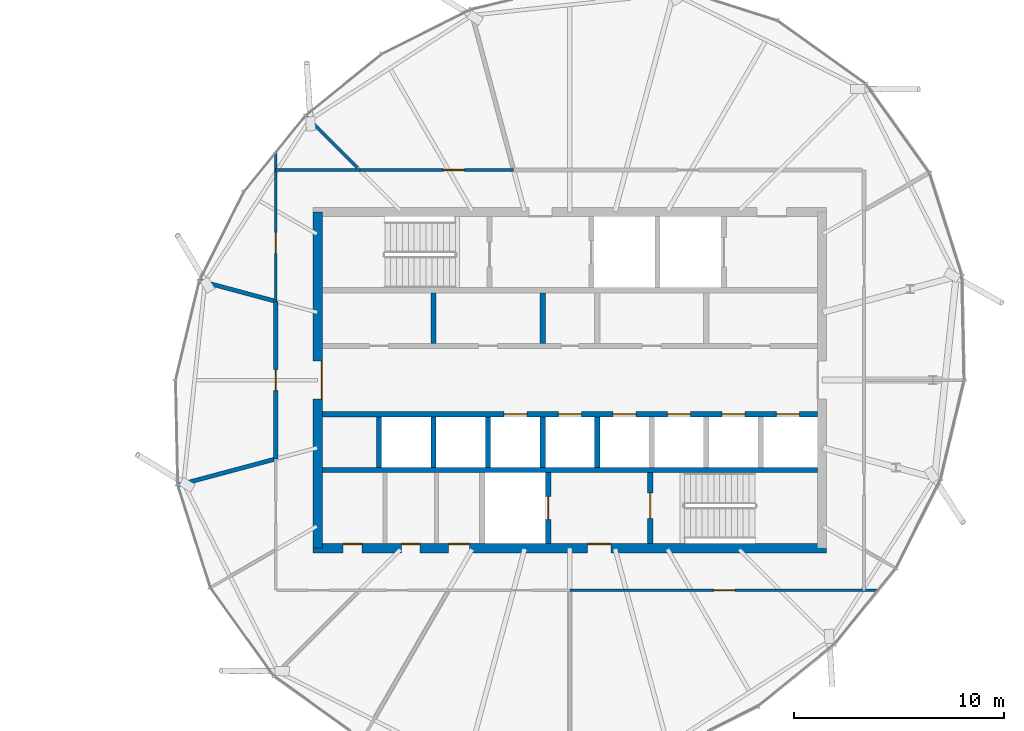
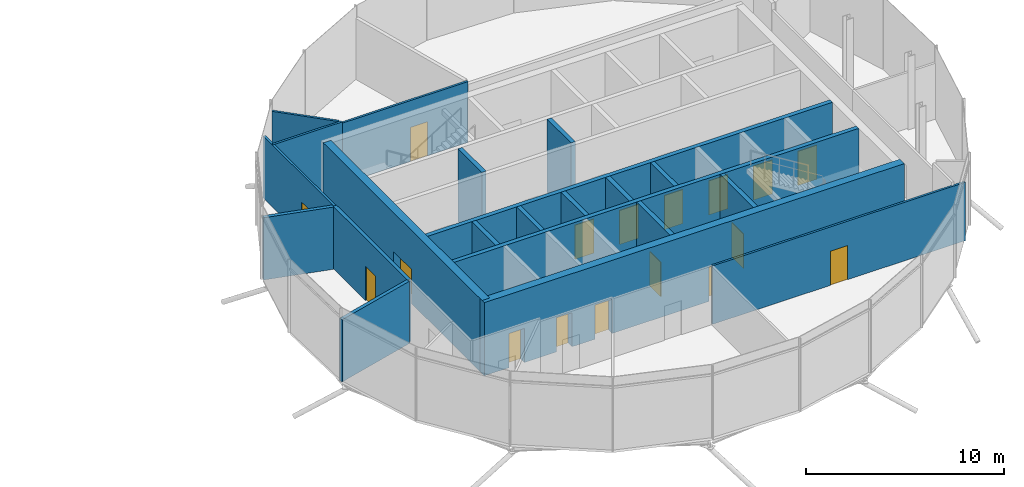
# One storey, part 19 of 31: 21 walls, 17 doors, 17 openings.
"""IFC4 building model written with IfcOpenShell, lengths in metres."""

import ifcopenshell
import ifcopenshell.guid

model = None  # the IFC model being written
_history = None  # IfcOwnerHistory: only IFC2X3 demands one
_inside = {}  # id of a spatial element -> (the spatial element, [elements in it])
_under = {}  # id of a project, library or spatial element -> (it, [spatial elements below it])
_declared = {}  # id of a project -> (the project, [libraries it declares])
_typed = {}  # id of a type object -> (the type object, [elements of that type])
_made_of = {}  # id of a material, layer set ... -> (it, [elements and type objects made of it])


def new_model(schema):
    """Start an empty IFC model of exactly this schema.

    Asked for "IFC4X3", IfcOpenShell would pick the latest addendum, in which some entities
    have other attributes; the version numbers below select the first issue.
    IFC2X3 requires an IfcOwnerHistory on every rooted entity: one is made here for all.
    """
    global model, _history
    if schema == "IFC4X3":
        model = ifcopenshell.file(schema_version=(4, 3, 0, 0))
    else:
        model = ifcopenshell.file(schema=schema)
    _inside.clear()
    _under.clear()
    _declared.clear()
    _typed.clear()
    _made_of.clear()
    _history = None
    if model.schema == "IFC2X3":
        org = make("IfcOrganization", Name="unknown")
        user = make(
            "IfcPersonAndOrganization",
            ThePerson=make("IfcPerson", FamilyName="unknown"),
            TheOrganization=org,
        )
        app = make(
            "IfcApplication",
            ApplicationDeveloper=org,
            Version="unknown",
            ApplicationFullName="unknown",
            ApplicationIdentifier="unknown",
        )
        _history = make(
            "IfcOwnerHistory",
            OwningUser=user,
            OwningApplication=app,
            ChangeAction="ADDED",
            CreationDate=0,
        )
    return model


def make(cls, **values):
    """One entity of the class cls with the attributes given. An attribute that is None is left unset."""
    return model.create_entity(
        cls, **{name: value for name, value in values.items() if value is not None}
    )


def rooted(cls, **values):
    """An entity with a GlobalId (a new one), such as an element, a storey or a relation."""
    return make(cls, GlobalId=ifcopenshell.guid.new(), OwnerHistory=_history, **values)


def si_unit(unit_type, name, prefix=None):
    """IfcSIUnit, for example si_unit("LENGTHUNIT", "METRE", prefix="MILLI")."""
    return make("IfcSIUnit", UnitType=unit_type, Prefix=prefix, Name=name)


def assignment(units):
    """IfcUnitAssignment: the units of a project."""
    return None if units is None else make("IfcUnitAssignment", Units=units)


def point(xyz):
    """IfcCartesianPoint."""
    return None if xyz is None else make("IfcCartesianPoint", Coordinates=xyz)


def direction(xyz):
    """IfcDirection."""
    return None if xyz is None else make("IfcDirection", DirectionRatios=xyz)


def frame(location, z_axis=None, x_axis=None):
    """IfcAxis2Placement3D, a coordinate frame: its origin and axes. An axis left out is left unset."""
    return make(
        "IfcAxis2Placement3D",
        Location=point(location),
        Axis=direction(z_axis),
        RefDirection=direction(x_axis),
    )


def frame_2d(location, x_axis=None):
    """IfcAxis2Placement2D, a coordinate frame in the plane: its origin and x axis."""
    return make(
        "IfcAxis2Placement2D", Location=point(location), RefDirection=direction(x_axis)
    )


def origin():
    """The frame at (0, 0, 0) with its axes left unset."""
    return frame((0.0, 0.0, 0.0))


def place(relative_to, where):
    """IfcLocalPlacement: puts the frame where relative to a parent placement (None: the world)."""
    return make(
        "IfcLocalPlacement", PlacementRelTo=relative_to, RelativePlacement=where
    )


def context(
    kind, dimensions, precision=None, world=None, true_north=None, identifier=None
):
    """IfcGeometricRepresentationContext, for example the 3D "Model" context."""
    return make(
        "IfcGeometricRepresentationContext",
        ContextIdentifier=identifier,
        ContextType=kind,
        CoordinateSpaceDimension=dimensions,
        Precision=precision,
        WorldCoordinateSystem=world,
        TrueNorth=true_north,
    )


def subcontext(parent, identifier, kind, view, scale=None):
    """IfcGeometricRepresentationSubContext, for example "Body" below "Model"."""
    return make(
        "IfcGeometricRepresentationSubContext",
        ContextIdentifier=identifier,
        ContextType=kind,
        ParentContext=parent,
        TargetScale=scale,
        TargetView=view,
    )


def project(units=None, contexts=None):
    """IfcProject with its units and contexts."""
    return rooted(
        "IfcProject",
        Name="project",
        RepresentationContexts=contexts,
        UnitsInContext=assignment(units),
    )


def spatial(cls, under=None, at=None, **own):
    """A site, building, storey or space (cls), placed at a placement, below another one or the project."""
    s = rooted(cls, ObjectPlacement=at, **own)
    if under is not None:
        _under.setdefault(under.id(), (under, []))[1].append(s)
    return s


def profile(cls, at=None, kind="AREA", **sizes):
    """A parametric profile (cls). Its sizes go by their IFC names, for example OverallWidth=200.0."""
    return make(cls, ProfileType=kind, Position=at, **sizes)


def rectangle(**sizes):
    """IfcRectangleProfileDef."""
    return profile("IfcRectangleProfileDef", **sizes)


def extrude(swept, where, along, depth):
    """IfcExtrudedAreaSolid: the profile swept, set in the frame where, extruded along a direction by depth."""
    return make(
        "IfcExtrudedAreaSolid",
        SweptArea=swept,
        Position=where,
        ExtrudedDirection=direction(along),
        Depth=depth,
    )


def shape(context_of_items, identifier, shape_type, items):
    """IfcShapeRepresentation: the items that make up one representation, for example the "Body"."""
    return make(
        "IfcShapeRepresentation",
        ContextOfItems=context_of_items,
        RepresentationIdentifier=identifier,
        RepresentationType=shape_type,
        Items=items,
    )


def material(Name=None, Category=None):
    """IfcMaterial."""
    return make("IfcMaterial", Name=Name, Category=Category)


def layer(
    of_material, thickness, ventilated=None, Name=None, Category=None, Priority=None
):
    """IfcMaterialLayer: one layer of a wall or slab, of a material (None: an air gap)."""
    return make(
        "IfcMaterialLayer",
        Material=of_material,
        LayerThickness=thickness,
        IsVentilated=ventilated,
        Name=Name,
        Category=Category,
        Priority=Priority,
    )


def layer_set(layers, Name=None):
    """IfcMaterialLayerSet."""
    return make("IfcMaterialLayerSet", MaterialLayers=layers, LayerSetName=Name)


def made_of(thing, what):
    """Note that an element or type object is made of a material, layer set ...; save() writes the relation."""
    if what is not None:
        _made_of.setdefault(what.id(), (what, []))[1].append(thing)
    return thing


def type_object(cls, material=None, **own):
    """A type object (cls), such as IfcWallType, which elements share."""
    return made_of(rooted(cls, **own), material)


def element(
    cls,
    number,
    at=None,
    inside=None,
    cuts=None,
    type_object=None,
    material=None,
    context=None,
    identifier="Body",
    shape_type=None,
    held_by="IfcProductDefinitionShape",
    body=None,
    shapes=None,
    **own,
):
    """One element of the class cls, such as IfcWall. Its Tag is "e" and its number.

    at: its placement. inside: the storey or other place that contains it. cuts: it is an
    opening in that element (IfcRelVoidsElement). A single representation is given by context,
    identifier, shape_type and body (its items); several are given by shapes. held_by: the class
    of the entity that holds the representations. save() writes the other relations.
    """
    e = rooted(cls, Tag="e%d" % number, ObjectPlacement=at, **own)
    if body is not None:
        shapes = [shape(context, identifier, shape_type, body)]
    if shapes is not None:
        e.Representation = make(held_by, Representations=shapes)
    if inside is not None:
        _inside.setdefault(inside.id(), (inside, []))[1].append(e)
    if cuts is not None:
        rooted(
            "IfcRelVoidsElement", RelatingBuildingElement=cuts, RelatedOpeningElement=e
        )
    if type_object is not None:
        _typed.setdefault(type_object.id(), (type_object, []))[1].append(e)
    return made_of(e, material)


def fill(opening, filler):
    """IfcRelFillsElement: the door or window that sits in an opening."""
    return rooted(
        "IfcRelFillsElement",
        RelatingOpeningElement=opening,
        RelatedBuildingElement=filler,
    )


def aggregate(whole, parts):
    """IfcRelAggregates: a whole, such as a stair, and the parts it consists of."""
    return rooted("IfcRelAggregates", RelatingObject=whole, RelatedObjects=parts)


def save(model, path):
    """Write the relations noted so far, then the file.

    IfcRelAggregates (storeys below a building ...), IfcRelContainedInSpatialStructure (elements
    in a storey), IfcRelDefinesByType, IfcRelAssociatesMaterial and IfcRelDeclares: one each for
    every whole, place, type object, material and project.
    """
    for whole, parts in _under.values():
        aggregate(whole, parts)
    for where, things in _inside.values():
        rooted(
            "IfcRelContainedInSpatialStructure",
            RelatedElements=things,
            RelatingStructure=where,
        )
    for kind, things in _typed.values():
        rooted("IfcRelDefinesByType", RelatedObjects=things, RelatingType=kind)
    for what, things in _made_of.values():
        rooted("IfcRelAssociatesMaterial", RelatedObjects=things, RelatingMaterial=what)
    for by, libraries in _declared.values():
        rooted("IfcRelDeclares", RelatingContext=by, RelatedDefinitions=libraries)
    model.write(path)


model = new_model("IFC4")

# Units and contexts
model_context = context("Model", 3, precision=1e-05, world=origin(), true_north=direction((0.0, 1.0)))
body_context = subcontext(model_context, "Body", "Model", "MODEL_VIEW")
ifc_project = project(units=[si_unit("LENGTHUNIT", "METRE"), si_unit("AREAUNIT", "SQUARE_METRE"), si_unit("VOLUMEUNIT", "CUBIC_METRE"), si_unit("PLANEANGLEUNIT", "RADIAN"), si_unit("MASSUNIT", "GRAM", prefix="KILO")], contexts=[model_context])

# Site, building, storey
site_placement = place(None, origin())
site = spatial("IfcSite", under=ifc_project, at=site_placement, CompositionType="ELEMENT")
building_placement = place(site_placement, origin())
building = spatial("IfcBuilding", under=site, at=building_placement, Name="Rimbun Link Towers", CompositionType="ELEMENT")
storey_placement = place(building_placement, frame((0.0, 0.0, 263.10009765625)))
storey = spatial("IfcBuildingStorey", under=building, at=storey_placement, Name="L64", CompositionType="ELEMENT", Elevation=263.10009765625)

# Wall, openings, doors
ifc_material_1 = material(Name="Concrete C60/75", Category="concrete")
ifc_layer_1 = layer(ifc_material_1, 0.449951171875)
ifc_layer_set_1 = layer_set([ifc_layer_1], Name="Core shear wall 450")
wall_type_1 = type_object("IfcWallType", Name="Core shear wall 450", PredefinedType="SHEAR", material=ifc_layer_set_1)
wall_1_placement = place(storey_placement, frame((19.52490234375, -8.0, 0.0), z_axis=(0.0, 0.0, 1.0), x_axis=(1.0, 0.0, 0.0)))
wall_1 = element("IfcWall", 1, at=wall_1_placement, inside=storey, type_object=wall_type_1, Name="L64 T2 core wall S", PredefinedType="SHEAR", context=body_context, shape_type="SweptSolid", body=[
    extrude(rectangle(XDim=24.4501953125, YDim=0.449951171875, at=frame_2d((12.22509765625, 0.0))), origin(), (0.0, 0.0, 1.0), 4.5),
])
opening_1_placement = place(wall_1_placement, frame((13.074951171875, 0.0, 0.0)))
opening_1 = element("IfcOpeningElement", 2, at=opening_1_placement, cuts=wall_1, Name="Opening C2DCF01S", PredefinedType="OPENING", context=body_context, shape_type="SweptSolid", body=[
    extrude(rectangle(XDim=1.10009765625, YDim=2.10009765625, at=frame_2d((0.550048828125, 1.050048828125))), frame((0.0, 0.23486328125, 0.0), z_axis=(0.0, -1.0, 0.0), x_axis=(1.0, 0.0, 0.0)), (0.0, 0.0, 1.0), 0.469970703125),
])
opening_2_placement = place(wall_1_placement, frame((1.4375, 0.0, 0.0)))
opening_2 = element("IfcOpeningElement", 3, at=opening_2_placement, cuts=wall_1, Name="Opening C2DWC02S", PredefinedType="OPENING", context=body_context, shape_type="SweptSolid", body=[
    extrude(rectangle(XDim=0.89990234375, YDim=2.10009765625, at=frame_2d((0.449951171875, 1.050048828125))), frame((0.0, 0.23486328125, 0.0), z_axis=(0.0, -1.0, 0.0), x_axis=(1.0, 0.0, 0.0)), (0.0, 0.0, 1.0), 0.469970703125),
])
opening_3_placement = place(wall_1_placement, frame((4.199951171875, 0.0, 0.0)))
opening_3 = element("IfcOpeningElement", 4, at=opening_3_placement, cuts=wall_1, Name="Opening C2DWC03S", PredefinedType="OPENING", context=body_context, shape_type="SweptSolid", body=[
    extrude(rectangle(XDim=0.89990234375, YDim=2.10009765625, at=frame_2d((0.449951171875, 1.050048828125))), frame((0.0, 0.23486328125, 0.0), z_axis=(0.0, -1.0, 0.0), x_axis=(1.0, 0.0, 0.0)), (0.0, 0.0, 1.0), 0.469970703125),
])
opening_4_placement = place(wall_1_placement, frame((6.449951171875, 0.0, 0.0)))
opening_4 = element("IfcOpeningElement", 5, at=opening_4_placement, cuts=wall_1, Name="Opening C2DAW04S", PredefinedType="OPENING", context=body_context, shape_type="SweptSolid", body=[
    extrude(rectangle(XDim=1.0, YDim=2.10009765625, at=frame_2d((0.5, 1.050048828125))), frame((0.0, 0.23486328125, 0.0), z_axis=(0.0, -1.0, 0.0), x_axis=(1.0, 0.0, 0.0)), (0.0, 0.0, 1.0), 0.469970703125),
])
ifc_material_2 = material(Name="Timber", Category="wood")
door_type_1 = type_object("IfcDoorType", Name="Accessible WC door", OperationType="SINGLE_SWING_LEFT", PredefinedType="DOOR", material=ifc_material_2)
door_1_placement = place(opening_4_placement, origin())
door_1 = element("IfcDoor", 6, at=door_1_placement, inside=storey, type_object=door_type_1, Name="L64 T2 accessible wc door", OperationType="SINGLE_SWING_LEFT", OverallHeight=2.10009765625, OverallWidth=1.0, PredefinedType="DOOR", context=body_context, shape_type="SweptSolid", body=[
    extrude(rectangle(XDim=1.0, YDim=2.10009765625, at=frame_2d((0.5, 1.050048828125))), frame((0.0, 0.22509765625, 0.0), z_axis=(0.0, -1.0, 0.0), x_axis=(1.0, 0.0, 0.0)), (0.0, 0.0, 1.0), 0.050048828125),
])
fill(opening_4, door_1)
ifc_material_3 = material(Name="Steel fire door set", Category="steel")
door_type_2 = type_object("IfcDoorType", Name="Core fire door single", OperationType="SINGLE_SWING_LEFT", PredefinedType="DOOR", material=ifc_material_3)
door_2_placement = place(opening_1_placement, origin())
door_2 = element("IfcDoor", 7, at=door_2_placement, inside=storey, type_object=door_type_2, Name="L64 T2 firefighting lobby s door", OperationType="SINGLE_SWING_RIGHT", OverallHeight=2.10009765625, OverallWidth=1.10009765625, PredefinedType="DOOR", context=body_context, shape_type="SweptSolid", body=[
    extrude(rectangle(XDim=1.10009765625, YDim=2.10009765625, at=frame_2d((0.550048828125, 1.050048828125))), frame((0.0, 0.22509765625, 0.0), z_axis=(0.0, -1.0, 0.0), x_axis=(1.0, 0.0, 0.0)), (0.0, 0.0, 1.0), 0.050048828125),
])
fill(opening_1, door_2)
ifc_material_4 = material(Name="Timber", Category="wood")
door_type_3 = type_object("IfcDoorType", Name="WC door", OperationType="SINGLE_SWING_LEFT", PredefinedType="DOOR", material=ifc_material_4)
door_3_placement = place(opening_2_placement, origin())
door_3 = element("IfcDoor", 8, at=door_3_placement, inside=storey, type_object=door_type_3, Name="L64 T2 male wc door", OperationType="SINGLE_SWING_RIGHT", OverallHeight=2.10009765625, OverallWidth=0.89990234375, PredefinedType="DOOR", context=body_context, shape_type="SweptSolid", body=[
    extrude(rectangle(XDim=0.89990234375, YDim=2.10009765625, at=frame_2d((0.449951171875, 1.050048828125))), frame((0.0, 0.22509765625, 0.0), z_axis=(0.0, -1.0, 0.0), x_axis=(1.0, 0.0, 0.0)), (0.0, 0.0, 1.0), 0.050048828125),
])
fill(opening_2, door_3)
door_4_placement = place(opening_3_placement, origin())
door_4 = element("IfcDoor", 9, at=door_4_placement, inside=storey, type_object=door_type_3, Name="L64 T2 female wc door", OperationType="SINGLE_SWING_RIGHT", OverallHeight=2.10009765625, OverallWidth=0.89990234375, PredefinedType="DOOR", context=body_context, shape_type="SweptSolid", body=[
    extrude(rectangle(XDim=0.89990234375, YDim=2.10009765625, at=frame_2d((0.449951171875, 1.050048828125))), frame((0.0, 0.22509765625, 0.0), z_axis=(0.0, -1.0, 0.0), x_axis=(1.0, 0.0, 0.0)), (0.0, 0.0, 1.0), 0.050048828125),
])
fill(opening_3, door_4)

# Wall, opening, door
wall_2_placement = place(storey_placement, frame((19.75, -8.0, 0.0), z_axis=(0.0, 0.0, 1.0), x_axis=(0.0, 1.0, 0.0)))
wall_2 = element("IfcWall", 10, at=wall_2_placement, inside=storey, type_object=wall_type_1, Name="L64 T2 core wall W", PredefinedType="SHEAR", context=body_context, shape_type="SweptSolid", body=[
    extrude(rectangle(XDim=16.0, YDim=0.449951171875, at=frame_2d((8.0, 0.0))), origin(), (0.0, 0.0, 1.0), 4.5),
])
opening_5_placement = place(wall_2_placement, frame((7.10009765625, 0.0, 0.0)))
opening_5 = element("IfcOpeningElement", 11, at=opening_5_placement, cuts=wall_2, Name="Opening C2DCL01W", PredefinedType="OPENING", context=body_context, shape_type="SweptSolid", body=[
    extrude(rectangle(XDim=1.800048828125, YDim=2.10009765625, at=frame_2d((0.89990234375, 1.050048828125))), frame((0.0, 0.23486328125, 0.0), z_axis=(0.0, -1.0, 0.0), x_axis=(1.0, 0.0, 0.0)), (0.0, 0.0, 1.0), 0.469970703125),
])
ifc_material_5 = material(Name="Steel fire door set", Category="steel")
door_type_4 = type_object("IfcDoorType", Name="Core lobby door double", OperationType="DOUBLE_DOOR_SINGLE_SWING", PredefinedType="DOOR", material=ifc_material_5)
door_5_placement = place(opening_5_placement, origin())
door_5 = element("IfcDoor", 12, at=door_5_placement, inside=storey, type_object=door_type_4, Name="L64 T2 lift lobby door", OperationType="DOUBLE_DOOR_SINGLE_SWING", OverallHeight=2.10009765625, OverallWidth=1.800048828125, PredefinedType="DOOR", context=body_context, shape_type="SweptSolid", body=[
    extrude(rectangle(XDim=1.800048828125, YDim=2.10009765625, at=frame_2d((0.89990234375, 1.050048828125))), frame((0.0, -0.1748046875, 0.0), z_axis=(0.0, -1.0, 0.0), x_axis=(1.0, 0.0, 0.0)), (0.0, 0.0, 1.0), 0.050048828125),
])
fill(opening_5, door_5)

ifc_material_6 = material(Name="Concrete blockwork", Category="masonry")
ifc_layer_2 = layer(ifc_material_6, 0.199951171875)
ifc_layer_set_2 = layer_set([ifc_layer_2], Name="Fire partition 200 blockwork")
wall_type_2 = type_object("IfcWallType", Name="Fire partition 200 blockwork", PredefinedType="PARTITIONING", material=ifc_layer_set_2)
wall_3_placement = place(storey_placement, frame((17.75, 3.751220703125, 0.0), z_axis=(0.0, 0.0, 1.0), x_axis=(0.0, -1.0, 0.0)))
wall_3 = element("IfcWall", 13, at=wall_3_placement, inside=storey, type_object=wall_type_2, Name="TW/PW/L64/041", PredefinedType="PARTITIONING", context=body_context, shape_type="SweptSolid", body=[
    extrude(rectangle(XDim=7.50244140625, YDim=0.199951171875, at=frame_2d((3.751220703125, 0.0))), origin(), (0.0, 0.0, 1.0), 3.826904296875),
])
opening_6_placement = place(wall_3_placement, frame((3.2509765625, 0.0, 0.0)))
opening_6 = element("IfcOpeningElement", 14, at=opening_6_placement, cuts=wall_3, Name="Opening TW D64.22", PredefinedType="OPENING", context=body_context, shape_type="SweptSolid", body=[
    extrude(rectangle(XDim=1.0, YDim=2.10009765625, at=frame_2d((0.5, 1.050048828125))), frame((0.0, 0.10986328125, 0.0), z_axis=(0.0, -1.0, 0.0), x_axis=(1.0, 0.0, 0.0)), (0.0, 0.0, 1.0), 0.219970703125),
])
ifc_material_7 = material(Name="Steel fire door set", Category="steel")
door_type_5 = type_object("IfcDoorType", Name="Fire door single leaf 1000 x 2100", OperationType="NOTDEFINED", PredefinedType="DOOR", material=ifc_material_7)
door_6_placement = place(opening_6_placement, origin())
door_6 = element("IfcDoor", 15, at=door_6_placement, inside=storey, type_object=door_type_5, Name="TW/DR/L64/022", OperationType="SINGLE_SWING_LEFT", OverallHeight=2.10009765625, OverallWidth=1.0, PredefinedType="DOOR", context=body_context, shape_type="SweptSolid", body=[
    extrude(rectangle(XDim=1.0, YDim=2.10009765625, at=frame_2d((0.5, 1.050048828125))), frame((0.0, 0.02490234375, 0.0), z_axis=(0.0, -1.0, 0.0), x_axis=(1.0, 0.0, 0.0)), (0.0, 0.0, 1.0), 0.050048828125),
])
fill(opening_6, door_6)

# Walls
wall_4_placement = place(storey_placement, frame((17.66162109375, -3.77490234375, 0.0), z_axis=(0.0, 0.0, 1.0), x_axis=(-0.965918453313, -0.258846559857, 0.0)))
element("IfcWall", 16, at=wall_4_placement, inside=storey, type_object=wall_type_2, Name="TW/PW/L64/043", PredefinedType="PARTITIONING", context=body_context, shape_type="SweptSolid", body=[
    extrude(rectangle(XDim=4.78662109375, YDim=0.199951171875, at=frame_2d((2.393310546875, 0.0))), origin(), (0.0, 0.0, 1.0), 3.826904296875),
])
wall_5_placement = place(storey_placement, frame((14.138671875, 4.718994140625, 0.0), z_axis=(0.0, 0.0, 1.0), x_axis=(0.965917573106, -0.258849844435, 0.0)))
element("IfcWall", 17, at=wall_5_placement, inside=storey, type_object=wall_type_2, Name="TW/PW/L64/052", PredefinedType="PARTITIONING", context=body_context, shape_type="SweptSolid", body=[
    extrude(rectangle(XDim=3.647216796875, YDim=0.199951171875, at=frame_2d((1.82373046875, 0.0))), origin(), (0.0, 0.0, 1.0), 3.826904296875),
])

# Wall, opening, door
ifc_material_8 = material(Name="Gypsum board on steel studs", Category="steel")
ifc_layer_3 = layer(ifc_material_8, 0.125)
ifc_layer_set_3 = layer_set([ifc_layer_3], Name="Partition 125 board on studs")
wall_type_3 = type_object("IfcWallType", Name="Partition 125 board on studs", PredefinedType="PARTITIONING", material=ifc_layer_set_3)
wall_6_placement = place(storey_placement, frame((31.75, -10.0, 0.0), z_axis=(0.0, 0.0, 1.0), x_axis=(1.0, 0.0, 0.0)))
wall_6 = element("IfcWall", 18, at=wall_6_placement, inside=storey, type_object=wall_type_3, Name="TW/PW/L64/032", PredefinedType="PARTITIONING", context=body_context, shape_type="SweptSolid", body=[
    extrude(rectangle(XDim=14.71435546875, YDim=0.125, at=frame_2d((7.357177734375, 0.0))), origin(), (0.0, 0.0, 1.0), 3.596923828125),
])
opening_7_placement = place(wall_6_placement, frame((6.85693359375, 0.0, 0.0)))
opening_7 = element("IfcOpeningElement", 19, at=opening_7_placement, cuts=wall_6, Name="Opening TW D64.16", PredefinedType="OPENING", context=body_context, shape_type="SweptSolid", body=[
    extrude(rectangle(XDim=1.0, YDim=2.10009765625, at=frame_2d((0.5, 1.050048828125))), frame((0.0, 0.072509765625, 0.0), z_axis=(0.0, -1.0, 0.0), x_axis=(1.0, 0.0, 0.0)), (0.0, 0.0, 1.0), 0.14501953125),
])
ifc_material_9 = material(Name="Timber door set", Category="wood")
door_type_6 = type_object("IfcDoorType", Name="Door single leaf 1000 x 2100", OperationType="NOTDEFINED", PredefinedType="DOOR", material=ifc_material_9)
door_7_placement = place(opening_7_placement, origin())
door_7 = element("IfcDoor", 20, at=door_7_placement, inside=storey, type_object=door_type_6, Name="TW/DR/L64/016", OperationType="SINGLE_SWING_LEFT", OverallHeight=2.10009765625, OverallWidth=1.0, PredefinedType="DOOR", context=body_context, shape_type="SweptSolid", body=[
    extrude(rectangle(XDim=1.0, YDim=2.10009765625, at=frame_2d((0.5, 1.050048828125))), frame((0.0, 0.02490234375, 0.0), z_axis=(0.0, -1.0, 0.0), x_axis=(1.0, 0.0, 0.0)), (0.0, 0.0, 1.0), 0.050048828125),
])
fill(opening_7, door_7)

wall_7_placement = place(storey_placement, frame((29.070556640625, 10.0, 0.0), z_axis=(0.0, 0.0, 1.0), x_axis=(-1.0, 0.0, 0.0)))
wall_7 = element("IfcWall", 21, at=wall_7_placement, inside=storey, type_object=wall_type_3, Name="TW/PW/L64/038", PredefinedType="PARTITIONING", context=body_context, shape_type="SweptSolid", body=[
    extrude(rectangle(XDim=7.320556640625, YDim=0.125, at=frame_2d((3.66015625, 0.0))), origin(), (0.0, 0.0, 1.0), 3.746826171875),
])
opening_8_placement = place(wall_7_placement, frame((2.346923828125, 0.0, 0.0)))
opening_8 = element("IfcOpeningElement", 22, at=opening_8_placement, cuts=wall_7, Name="Opening TW D64.20", PredefinedType="OPENING", context=body_context, shape_type="SweptSolid", body=[
    extrude(rectangle(XDim=1.0, YDim=2.10009765625, at=frame_2d((0.5, 1.050048828125))), frame((0.0, 0.072509765625, 0.0), z_axis=(0.0, -1.0, 0.0), x_axis=(1.0, 0.0, 0.0)), (0.0, 0.0, 1.0), 0.14501953125),
])
door_8_placement = place(opening_8_placement, origin())
door_8 = element("IfcDoor", 23, at=door_8_placement, inside=storey, type_object=door_type_6, Name="TW/DR/L64/020", OperationType="SINGLE_SWING_LEFT", OverallHeight=2.10009765625, OverallWidth=1.0, PredefinedType="DOOR", context=body_context, shape_type="SweptSolid", body=[
    extrude(rectangle(XDim=1.0, YDim=2.10009765625, at=frame_2d((0.5, 1.050048828125))), frame((0.0, 0.02490234375, 0.0), z_axis=(0.0, -1.0, 0.0), x_axis=(1.0, 0.0, 0.0)), (0.0, 0.0, 1.0), 0.050048828125),
])
fill(opening_8, door_8)

# Wall
wall_8_placement = place(storey_placement, frame((21.75, 10.0, 0.0), z_axis=(0.0, 0.0, 1.0), x_axis=(-1.0, 0.0, 0.0)))
element("IfcWall", 24, at=wall_8_placement, inside=storey, type_object=wall_type_3, Name="TW/PW/L64/039", PredefinedType="PARTITIONING", context=body_context, shape_type="SweptSolid", body=[
    extrude(rectangle(XDim=4.014404296875, YDim=0.125, at=frame_2d((2.00732421875, 0.0))), origin(), (0.0, 0.0, 1.0), 3.826904296875),
])

# Wall, opening, door
wall_9_placement = place(storey_placement, frame((17.75, 10.86376953125, 0.0), z_axis=(0.0, 0.0, 1.0), x_axis=(0.0, -1.0, 0.0)))
wall_9 = element("IfcWall", 25, at=wall_9_placement, inside=storey, type_object=wall_type_3, Name="TW/PW/L64/040", PredefinedType="PARTITIONING", context=body_context, shape_type="SweptSolid", body=[
    extrude(rectangle(XDim=7.112548828125, YDim=0.125, at=frame_2d((3.55615234375, 0.0))), origin(), (0.0, 0.0, 1.0), 3.826904296875),
])
opening_9_placement = place(wall_9_placement, frame((3.837890625, 0.0, 0.0)))
opening_9 = element("IfcOpeningElement", 26, at=opening_9_placement, cuts=wall_9, Name="Opening TW D64.21", PredefinedType="OPENING", context=body_context, shape_type="SweptSolid", body=[
    extrude(rectangle(XDim=1.0, YDim=2.10009765625, at=frame_2d((0.5, 1.050048828125))), frame((0.0, 0.072509765625, 0.0), z_axis=(0.0, -1.0, 0.0), x_axis=(1.0, 0.0, 0.0)), (0.0, 0.0, 1.0), 0.14501953125),
])
door_9_placement = place(opening_9_placement, origin())
door_9 = element("IfcDoor", 27, at=door_9_placement, inside=storey, type_object=door_type_6, Name="TW/DR/L64/021", OperationType="SINGLE_SWING_RIGHT", OverallHeight=2.10009765625, OverallWidth=1.0, PredefinedType="DOOR", context=body_context, shape_type="SweptSolid", body=[
    extrude(rectangle(XDim=1.0, YDim=2.10009765625, at=frame_2d((0.5, 1.050048828125))), frame((0.0, 0.02490234375, 0.0), z_axis=(0.0, -1.0, 0.0), x_axis=(1.0, 0.0, 0.0)), (0.0, 0.0, 1.0), 0.050048828125),
])
fill(opening_9, door_9)

# Walls
wall_10_placement = place(storey_placement, frame((19.188720703125, 12.561279296875, 0.0), z_axis=(0.0, 0.0, 1.0), x_axis=(0.707106781187, -0.707106781187, 0.0)))
element("IfcWall", 28, at=wall_10_placement, inside=storey, type_object=wall_type_3, Name="TW/PW/L64/051", PredefinedType="PARTITIONING", context=body_context, shape_type="SweptSolid", body=[
    extrude(rectangle(XDim=3.471435546875, YDim=0.125, at=frame_2d((1.73583984375, 0.0))), origin(), (0.0, 0.0, 1.0), 3.826904296875),
])
ifc_material_10 = material(Name="Concrete C60/75", Category="concrete")
ifc_layer_4 = layer(ifc_material_10, 0.25)
ifc_layer_set_4 = layer_set([ifc_layer_4], Name="Shaft wall 250")
wall_type_4 = type_object("IfcWallType", Name="Shaft wall 250", PredefinedType="SHEAR", material=ifc_layer_set_4)
wall_11_placement = place(storey_placement, frame((19.97509765625, -4.27490234375, 0.0), z_axis=(0.0, 0.0, 1.0), x_axis=(1.0, 0.0, 0.0)))
element("IfcWall", 29, at=wall_11_placement, inside=storey, type_object=wall_type_4, Name="L64 T2 core wall BS", PredefinedType="SHEAR", context=body_context, shape_type="SweptSolid", body=[
    extrude(rectangle(XDim=23.5498046875, YDim=0.25, at=frame_2d((11.77490234375, 0.0))), origin(), (0.0, 0.0, 1.0), 4.5),
])

# Wall, openings, doors
wall_12_placement = place(storey_placement, frame((19.97509765625, -1.625, 0.0), z_axis=(0.0, 0.0, 1.0), x_axis=(1.0, 0.0, 0.0)))
wall_12 = element("IfcWall", 30, at=wall_12_placement, inside=storey, type_object=wall_type_4, Name="L64 T2 core wall FS", PredefinedType="SHEAR", context=body_context, shape_type="SweptSolid", body=[
    extrude(rectangle(XDim=23.5498046875, YDim=0.25, at=frame_2d((11.77490234375, 0.0))), origin(), (0.0, 0.0, 1.0), 4.5),
])
opening_10_placement = place(wall_12_placement, frame((8.630615234375, 0.0, 0.0)))
opening_10 = element("IfcOpeningElement", 31, at=opening_10_placement, cuts=wall_12, Name="Opening LD-T2-HR1", PredefinedType="OPENING", context=body_context, shape_type="SweptSolid", body=[
    extrude(rectangle(XDim=1.10009765625, YDim=2.10009765625, at=frame_2d((0.550048828125, 1.050048828125))), frame((0.0, 0.135009765625, 0.0), z_axis=(0.0, -1.0, 0.0), x_axis=(1.0, 0.0, 0.0)), (0.0, 0.0, 1.0), 0.27001953125),
])
opening_11_placement = place(wall_12_placement, frame((11.22509765625, 0.0, 0.0)))
opening_11 = element("IfcOpeningElement", 32, at=opening_11_placement, cuts=wall_12, Name="Opening LD-T2-HR2", PredefinedType="OPENING", context=body_context, shape_type="SweptSolid", body=[
    extrude(rectangle(XDim=1.10009765625, YDim=2.10009765625, at=frame_2d((0.550048828125, 1.050048828125))), frame((0.0, 0.135009765625, 0.0), z_axis=(0.0, -1.0, 0.0), x_axis=(1.0, 0.0, 0.0)), (0.0, 0.0, 1.0), 0.27001953125),
])
opening_12_placement = place(wall_12_placement, frame((13.8193359375, 0.0, 0.0)))
opening_12 = element("IfcOpeningElement", 33, at=opening_12_placement, cuts=wall_12, Name="Opening LD-T2-HR3", PredefinedType="OPENING", context=body_context, shape_type="SweptSolid", body=[
    extrude(rectangle(XDim=1.10009765625, YDim=2.10009765625, at=frame_2d((0.550048828125, 1.050048828125))), frame((0.0, 0.135009765625, 0.0), z_axis=(0.0, -1.0, 0.0), x_axis=(1.0, 0.0, 0.0)), (0.0, 0.0, 1.0), 0.27001953125),
])
opening_13_placement = place(wall_12_placement, frame((16.413818359375, 0.0, 0.0)))
opening_13 = element("IfcOpeningElement", 34, at=opening_13_placement, cuts=wall_12, Name="Opening LD-T2-HR4", PredefinedType="OPENING", context=body_context, shape_type="SweptSolid", body=[
    extrude(rectangle(XDim=1.10009765625, YDim=2.10009765625, at=frame_2d((0.550048828125, 1.050048828125))), frame((0.0, 0.135009765625, 0.0), z_axis=(0.0, -1.0, 0.0), x_axis=(1.0, 0.0, 0.0)), (0.0, 0.0, 1.0), 0.27001953125),
])
opening_14_placement = place(wall_12_placement, frame((19.00830078125, 0.0, 0.0)))
opening_14 = element("IfcOpeningElement", 35, at=opening_14_placement, cuts=wall_12, Name="Opening LD-T2-HR5", PredefinedType="OPENING", context=body_context, shape_type="SweptSolid", body=[
    extrude(rectangle(XDim=1.10009765625, YDim=2.10009765625, at=frame_2d((0.550048828125, 1.050048828125))), frame((0.0, 0.135009765625, 0.0), z_axis=(0.0, -1.0, 0.0), x_axis=(1.0, 0.0, 0.0)), (0.0, 0.0, 1.0), 0.27001953125),
])
opening_15_placement = place(wall_12_placement, frame((21.602783203125, 0.0, 0.0)))
opening_15 = element("IfcOpeningElement", 36, at=opening_15_placement, cuts=wall_12, Name="Opening LD-T2-HR6", PredefinedType="OPENING", context=body_context, shape_type="SweptSolid", body=[
    extrude(rectangle(XDim=1.10009765625, YDim=2.10009765625, at=frame_2d((0.550048828125, 1.050048828125))), frame((0.0, 0.135009765625, 0.0), z_axis=(0.0, -1.0, 0.0), x_axis=(1.0, 0.0, 0.0)), (0.0, 0.0, 1.0), 0.27001953125),
])
ifc_material_11 = material(Name="Stainless steel grade 316", Category="steel")
door_type_7 = type_object("IfcDoorType", Name="Lift landing door", OperationType="DOUBLE_DOOR_SLIDING", PredefinedType="DOOR", material=ifc_material_11)
door_10_placement = place(opening_10_placement, origin())
door_10 = element("IfcDoor", 37, at=door_10_placement, inside=storey, type_object=door_type_7, Name="L64 T2 lift HR1 landing door", OperationType="DOUBLE_DOOR_SLIDING", OverallHeight=2.10009765625, OverallWidth=1.10009765625, PredefinedType="DOOR", context=body_context, shape_type="SweptSolid", body=[
    extrude(rectangle(XDim=1.10009765625, YDim=2.10009765625, at=frame_2d((0.550048828125, 1.050048828125))), frame((0.0, 0.02490234375, 0.0), z_axis=(0.0, -1.0, 0.0), x_axis=(1.0, 0.0, 0.0)), (0.0, 0.0, 1.0), 0.050048828125),
])
fill(opening_10, door_10)
door_11_placement = place(opening_11_placement, origin())
door_11 = element("IfcDoor", 38, at=door_11_placement, inside=storey, type_object=door_type_7, Name="L64 T2 lift HR2 landing door", OperationType="DOUBLE_DOOR_SLIDING", OverallHeight=2.10009765625, OverallWidth=1.10009765625, PredefinedType="DOOR", context=body_context, shape_type="SweptSolid", body=[
    extrude(rectangle(XDim=1.10009765625, YDim=2.10009765625, at=frame_2d((0.550048828125, 1.050048828125))), frame((0.0, 0.02490234375, 0.0), z_axis=(0.0, -1.0, 0.0), x_axis=(1.0, 0.0, 0.0)), (0.0, 0.0, 1.0), 0.050048828125),
])
fill(opening_11, door_11)
door_12_placement = place(opening_12_placement, origin())
door_12 = element("IfcDoor", 39, at=door_12_placement, inside=storey, type_object=door_type_7, Name="L64 T2 lift HR3 landing door", OperationType="DOUBLE_DOOR_SLIDING", OverallHeight=2.10009765625, OverallWidth=1.10009765625, PredefinedType="DOOR", context=body_context, shape_type="SweptSolid", body=[
    extrude(rectangle(XDim=1.10009765625, YDim=2.10009765625, at=frame_2d((0.550048828125, 1.050048828125))), frame((0.0, 0.02490234375, 0.0), z_axis=(0.0, -1.0, 0.0), x_axis=(1.0, 0.0, 0.0)), (0.0, 0.0, 1.0), 0.050048828125),
])
fill(opening_12, door_12)
door_13_placement = place(opening_13_placement, origin())
door_13 = element("IfcDoor", 40, at=door_13_placement, inside=storey, type_object=door_type_7, Name="L64 T2 lift HR4 landing door", OperationType="DOUBLE_DOOR_SLIDING", OverallHeight=2.10009765625, OverallWidth=1.10009765625, PredefinedType="DOOR", context=body_context, shape_type="SweptSolid", body=[
    extrude(rectangle(XDim=1.10009765625, YDim=2.10009765625, at=frame_2d((0.550048828125, 1.050048828125))), frame((0.0, 0.02490234375, 0.0), z_axis=(0.0, -1.0, 0.0), x_axis=(1.0, 0.0, 0.0)), (0.0, 0.0, 1.0), 0.050048828125),
])
fill(opening_13, door_13)
door_14_placement = place(opening_14_placement, origin())
door_14 = element("IfcDoor", 41, at=door_14_placement, inside=storey, type_object=door_type_7, Name="L64 T2 lift HR5 landing door", OperationType="DOUBLE_DOOR_SLIDING", OverallHeight=2.10009765625, OverallWidth=1.10009765625, PredefinedType="DOOR", context=body_context, shape_type="SweptSolid", body=[
    extrude(rectangle(XDim=1.10009765625, YDim=2.10009765625, at=frame_2d((0.550048828125, 1.050048828125))), frame((0.0, 0.02490234375, 0.0), z_axis=(0.0, -1.0, 0.0), x_axis=(1.0, 0.0, 0.0)), (0.0, 0.0, 1.0), 0.050048828125),
])
fill(opening_14, door_14)
door_15_placement = place(opening_15_placement, origin())
door_15 = element("IfcDoor", 42, at=door_15_placement, inside=storey, type_object=door_type_7, Name="L64 T2 lift HR6 landing door", OperationType="DOUBLE_DOOR_SLIDING", OverallHeight=2.10009765625, OverallWidth=1.10009765625, PredefinedType="DOOR", context=body_context, shape_type="SweptSolid", body=[
    extrude(rectangle(XDim=1.10009765625, YDim=2.10009765625, at=frame_2d((0.550048828125, 1.050048828125))), frame((0.0, 0.02490234375, 0.0), z_axis=(0.0, -1.0, 0.0), x_axis=(1.0, 0.0, 0.0)), (0.0, 0.0, 1.0), 0.050048828125),
])
fill(opening_15, door_15)

# Walls
for number, where, z_axis, x_axis, name in (
    (43, (25.263916015625, 1.75, 0.0), (0.0, 0.0, 1.0), (0.0, 1.0, 0.0), "L64 T2 core wall DN1"),
    (44, (30.452880859375, 1.75, 0.0), (0.0, 0.0, 1.0), (0.0, 1.0, 0.0), "L64 T2 core wall DN3"),
    (45, (22.66943359375, -4.14990234375, 0.0), (0.0, 0.0, 1.0), (0.0, 1.0, 0.0), "L64 T2 core wall DS0"),
    (46, (25.263916015625, -4.14990234375, 0.0), (0.0, 0.0, 1.0), (0.0, 1.0, 0.0), "L64 T2 core wall DS1"),
    (47, (27.8583984375, -4.14990234375, 0.0), (0.0, 0.0, 1.0), (0.0, 1.0, 0.0), "L64 T2 core wall DS2"),
    (48, (30.452880859375, -4.14990234375, 0.0), (0.0, 0.0, 1.0), (0.0, 1.0, 0.0), "L64 T2 core wall DS3"),
    (49, (33.047119140625, -4.14990234375, 0.0), (0.0, 0.0, 1.0), (0.0, 1.0, 0.0), "L64 T2 core wall DS4"),
):
    element("IfcWall", number, at=place(storey_placement, frame(where, z_axis=z_axis, x_axis=x_axis)), inside=storey, type_object=wall_type_4, Name=name, PredefinedType="SHEAR", context=body_context, shape_type="SweptSolid", body=[
        extrude(rectangle(XDim=2.39990234375, YDim=0.25, at=frame_2d((1.199951171875, 0.0))), origin(), (0.0, 0.0, 1.0), 4.5),
    ])

# Wall, opening, door
wall_13_placement = place(storey_placement, frame((35.574951171875, -4.39990234375, 0.0), z_axis=(0.0, 0.0, 1.0), x_axis=(0.0, -1.0, 0.0)))
wall_13 = element("IfcWall", 50, at=wall_13_placement, inside=storey, type_object=wall_type_4, Name="L64 T2 core wall B1", PredefinedType="SHEAR", context=body_context, shape_type="SweptSolid", body=[
    extrude(rectangle(XDim=3.375, YDim=0.25, at=frame_2d((1.6875, 0.0))), origin(), (0.0, 0.0, 1.0), 4.5),
])
opening_16_placement = place(wall_13_placement, frame((0.97509765625, 0.0, 0.0)))
opening_16 = element("IfcOpeningElement", 51, at=opening_16_placement, cuts=wall_13, Name="Opening C2DST01B1", PredefinedType="OPENING", context=body_context, shape_type="SweptSolid", body=[
    extrude(rectangle(XDim=1.199951171875, YDim=2.10009765625, at=frame_2d((0.60009765625, 1.050048828125))), frame((0.0, 0.135009765625, 0.0), z_axis=(0.0, -1.0, 0.0), x_axis=(1.0, 0.0, 0.0)), (0.0, 0.0, 1.0), 0.27001953125),
])
ifc_material_12 = material(Name="Steel fire door set", Category="steel")
door_type_8 = type_object("IfcDoorType", Name="Stair door", OperationType="SINGLE_SWING_LEFT", PredefinedType="DOOR", material=ifc_material_12)
door_16_placement = place(opening_16_placement, origin())
door_16 = element("IfcDoor", 52, at=door_16_placement, inside=storey, type_object=door_type_8, Name="L64 T2 stair b door", OperationType="SINGLE_SWING_RIGHT", OverallHeight=2.10009765625, OverallWidth=1.199951171875, PredefinedType="DOOR", context=body_context, shape_type="SweptSolid", body=[
    extrude(rectangle(XDim=1.199951171875, YDim=2.10009765625, at=frame_2d((0.60009765625, 1.050048828125))), frame((0.0, 0.02490234375, 0.0), z_axis=(0.0, -1.0, 0.0), x_axis=(1.0, 0.0, 0.0)), (0.0, 0.0, 1.0), 0.050048828125),
])
fill(opening_16, door_16)

wall_14_placement = place(storey_placement, frame((30.72509765625, -4.39990234375, 0.0), z_axis=(0.0, 0.0, 1.0), x_axis=(0.0, -1.0, 0.0)))
wall_14 = element("IfcWall", 53, at=wall_14_placement, inside=storey, type_object=wall_type_4, Name="L64 T2 core wall B2", PredefinedType="SHEAR", context=body_context, shape_type="SweptSolid", body=[
    extrude(rectangle(XDim=3.375, YDim=0.25, at=frame_2d((1.6875, 0.0))), origin(), (0.0, 0.0, 1.0), 4.5),
])
opening_17_placement = place(wall_14_placement, frame((1.137451171875, 0.0, 0.0)))
opening_17 = element("IfcOpeningElement", 54, at=opening_17_placement, cuts=wall_14, Name="Opening LD-T2-FF2", PredefinedType="OPENING", context=body_context, shape_type="SweptSolid", body=[
    extrude(rectangle(XDim=1.10009765625, YDim=2.10009765625, at=frame_2d((0.550048828125, 1.050048828125))), frame((0.0, 0.135009765625, 0.0), z_axis=(0.0, -1.0, 0.0), x_axis=(1.0, 0.0, 0.0)), (0.0, 0.0, 1.0), 0.27001953125),
])
door_17_placement = place(opening_17_placement, origin())
door_17 = element("IfcDoor", 55, at=door_17_placement, inside=storey, type_object=door_type_7, Name="L64 T2 lift FF2 landing door", OperationType="DOUBLE_DOOR_SLIDING", OverallHeight=2.10009765625, OverallWidth=1.10009765625, PredefinedType="DOOR", context=body_context, shape_type="SweptSolid", body=[
    extrude(rectangle(XDim=1.10009765625, YDim=2.10009765625, at=frame_2d((0.550048828125, 1.050048828125))), frame((0.0, 0.02490234375, 0.0), z_axis=(0.0, -1.0, 0.0), x_axis=(1.0, 0.0, 0.0)), (0.0, 0.0, 1.0), 0.050048828125),
])
fill(opening_17, door_17)

save(model, "model.ifc")
